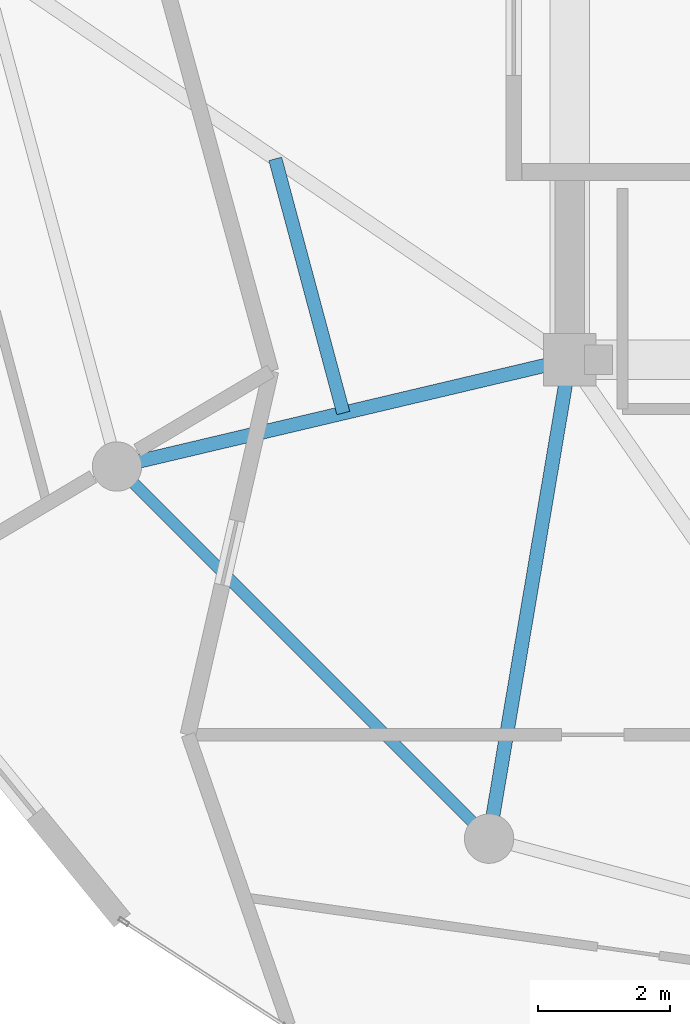
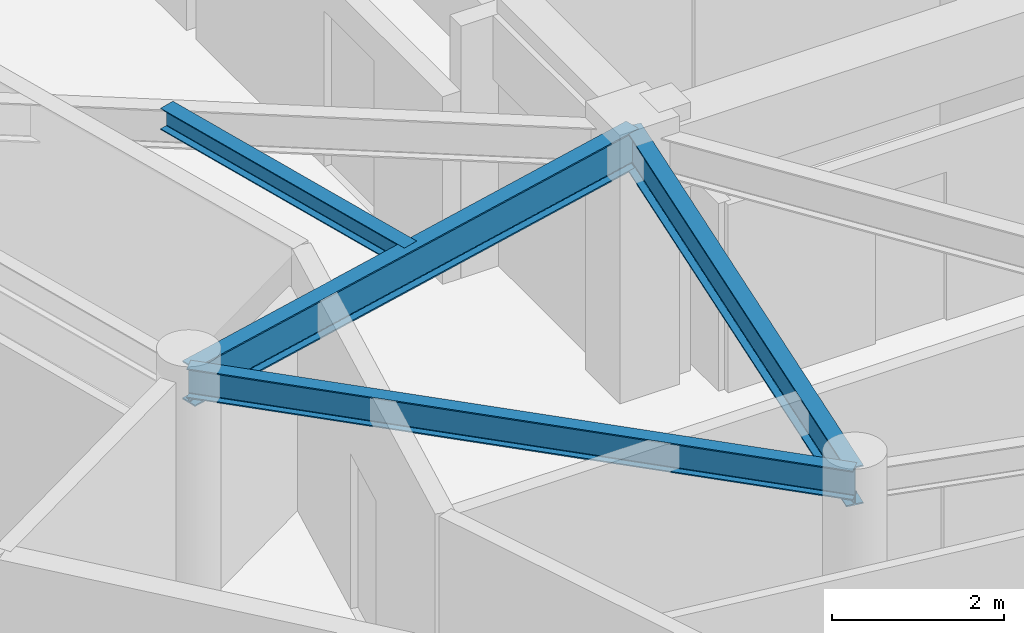
# One storey, part 4 of 22: 4 beams.
"""IFC4 building model written with IfcOpenShell, lengths in metres."""

from ifc_helpers import new_model, si_unit, direction, frame, origin, origin_2d, place, context, subcontext, project, spatial, i_section, extrude, material, material_profile, profile_set, type_object, element, save


model = new_model("IFC4")

# Units and contexts
model_context = context("Model", 3, precision=1e-05, world=origin(), true_north=direction((0.0, 1.0)))
body_context = subcontext(model_context, "Body", "Model", "MODEL_VIEW")
ifc_project = project(units=[si_unit("LENGTHUNIT", "METRE"), si_unit("AREAUNIT", "SQUARE_METRE"), si_unit("VOLUMEUNIT", "CUBIC_METRE"), si_unit("PLANEANGLEUNIT", "RADIAN"), si_unit("MASSUNIT", "GRAM", prefix="KILO")], contexts=[model_context])

# Site, building, storey
site_placement = place(None, origin())
site = spatial("IfcSite", under=ifc_project, at=site_placement, CompositionType="ELEMENT")
building_placement = place(site_placement, origin())
building = spatial("IfcBuilding", under=site, at=building_placement, Name="Solvirekh Grand Hotel", CompositionType="ELEMENT")
storey_placement = place(building_placement, frame((0.0, 0.0, 239.199951171875)))
storey = spatial("IfcBuildingStorey", under=building, at=storey_placement, Name="L62", CompositionType="ELEMENT", Elevation=239.199951171875)

# Beams
ifc_material = material(Name="Steel S355", Category="steel")
ifc_material_profile_1 = material_profile(ifc_material, i_section(OverallWidth=0.2119140625, OverallDepth=0.5439453125, WebThickness=0.011962890625, FlangeThickness=0.01904296875, FilletRadius=0.013916015625, at=origin_2d()), Name="W530X123")
ifc_profile_set_1 = profile_set([ifc_material_profile_1], Name="Steel S355")
beam_type_1 = type_object("IfcBeamType", Name="Beam_Radial_W530H", PredefinedType="BEAM", material=ifc_profile_set_1)
beam_1_placement = place(storey_placement, frame((-6.5, -6.10009765625, 3.298095703125), z_axis=(-0.973221147544, -0.229870828888, 0.0), x_axis=(0.229870828888, -0.973221147544, 0.0)))
element("IfcBeam", 1, at=beam_1_placement, inside=storey, type_object=beam_type_1, Name="L62 radial floor beam R08", PredefinedType="BEAM", context=body_context, shape_type="SweptSolid", body=[
    extrude(i_section(OverallWidth=0.2119140625, OverallDepth=0.5439453125, WebThickness=0.011962890625, FlangeThickness=0.01904296875, FilletRadius=0.013916015625, at=origin_2d()), origin(), (0.0, 0.0, 1.0), 7.069091796875),
])
beam_2_placement = place(storey_placement, frame((-6.5, -6.10009765625, 3.298095703125), z_axis=(-0.165954049106, -0.986133486697, 0.0), x_axis=(0.986133486697, -0.165954049106, 0.0)))
element("IfcBeam", 2, at=beam_2_placement, inside=storey, type_object=beam_type_1, Name="L62 radial floor beam R09", PredefinedType="BEAM", context=body_context, shape_type="SweptSolid", body=[
    extrude(i_section(OverallWidth=0.2119140625, OverallDepth=0.5439453125, WebThickness=0.011962890625, FlangeThickness=0.01904296875, FilletRadius=0.013916015625, at=origin_2d()), origin(), (0.0, 0.0, 1.0), 7.382080078125),
])
ifc_material_profile_2 = material_profile(ifc_material, i_section(OverallWidth=0.202880859375, OverallDepth=0.302978515625, WebThickness=0.008056640625, FlangeThickness=0.012939453125, FilletRadius=0.010009765625, at=origin_2d()), Name="W310X60")
ifc_profile_set_2 = profile_set([ifc_material_profile_2], Name="Steel S355")
beam_type_2 = type_object("IfcBeamType", Name="Joist_Floor_W310", PredefinedType="JOIST", material=ifc_profile_set_2)
beam_3_placement = place(storey_placement, frame((-10.97509765625, -3.050048828125, 3.4189453125), z_axis=(0.258893772796, -0.965905799966, 0.0), x_axis=(0.965905799966, 0.258893772796, 0.0)))
element("IfcBeam", 3, at=beam_3_placement, inside=storey, type_object=beam_type_2, Name="L62 secondary composite floor joist 7", PredefinedType="JOIST", context=body_context, shape_type="SweptSolid", body=[
    extrude(i_section(OverallWidth=0.202880859375, OverallDepth=0.302978515625, WebThickness=0.008056640625, FlangeThickness=0.012939453125, FilletRadius=0.010009765625, at=origin_2d()), origin(), (0.0, 0.0, 1.0), 3.998291015625),
])
ifc_material_profile_3 = material_profile(ifc_material, i_section(OverallWidth=0.180908203125, OverallDepth=0.4169921875, WebThickness=0.010009765625, FlangeThickness=0.01611328125, FilletRadius=0.011962890625, at=origin_2d()), Name="W410X85")
ifc_profile_set_3 = profile_set([ifc_material_profile_3], Name="Steel S355")
beam_type_3 = type_object("IfcBeamType", Name="Spandrel_Ring_W410", PredefinedType="SPANDREL", material=ifc_profile_set_3)
beam_4_placement = place(storey_placement, frame((-13.3798828125, -7.72509765625, 3.362060546875), z_axis=(0.707106781187, -0.707106781187, 0.0), x_axis=(0.707106781187, 0.707106781187, 0.0)))
element("IfcBeam", 4, at=beam_4_placement, inside=storey, type_object=beam_type_3, Name="L62 perimeter spandrel beam 8", PredefinedType="SPANDREL", context=body_context, shape_type="SweptSolid", body=[
    extrude(i_section(OverallWidth=0.180908203125, OverallDepth=0.4169921875, WebThickness=0.010009765625, FlangeThickness=0.01611328125, FilletRadius=0.011962890625, at=origin_2d()), origin(), (0.0, 0.0, 1.0), 7.9970703125),
])

save(model, "model.ifc")
